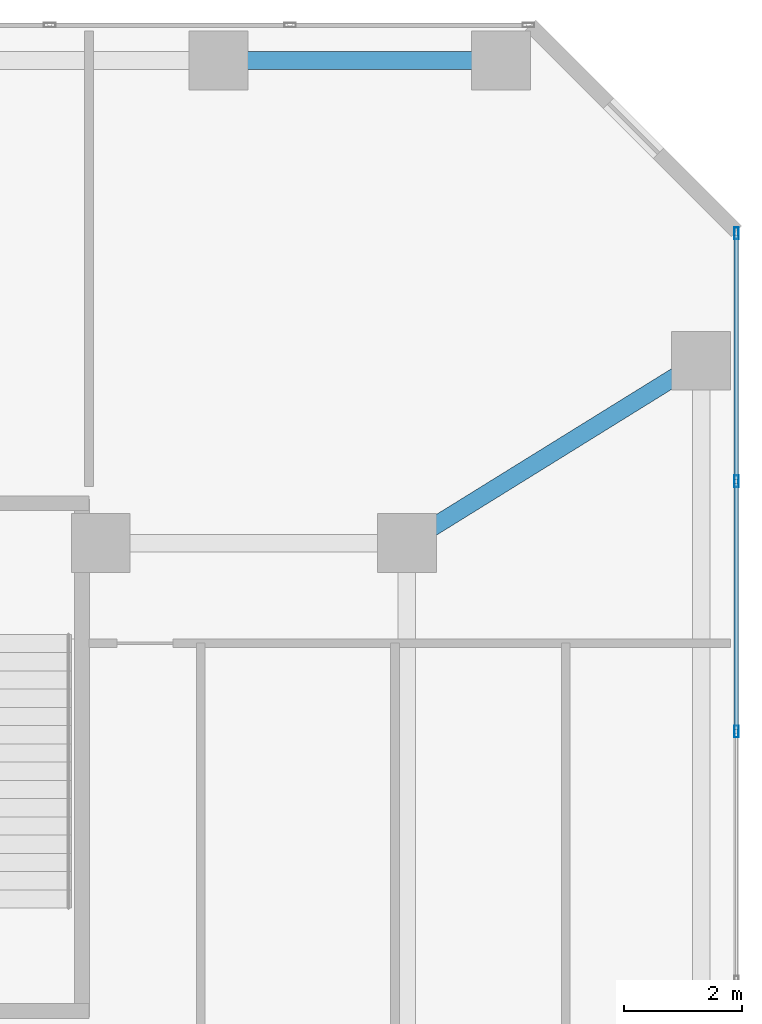
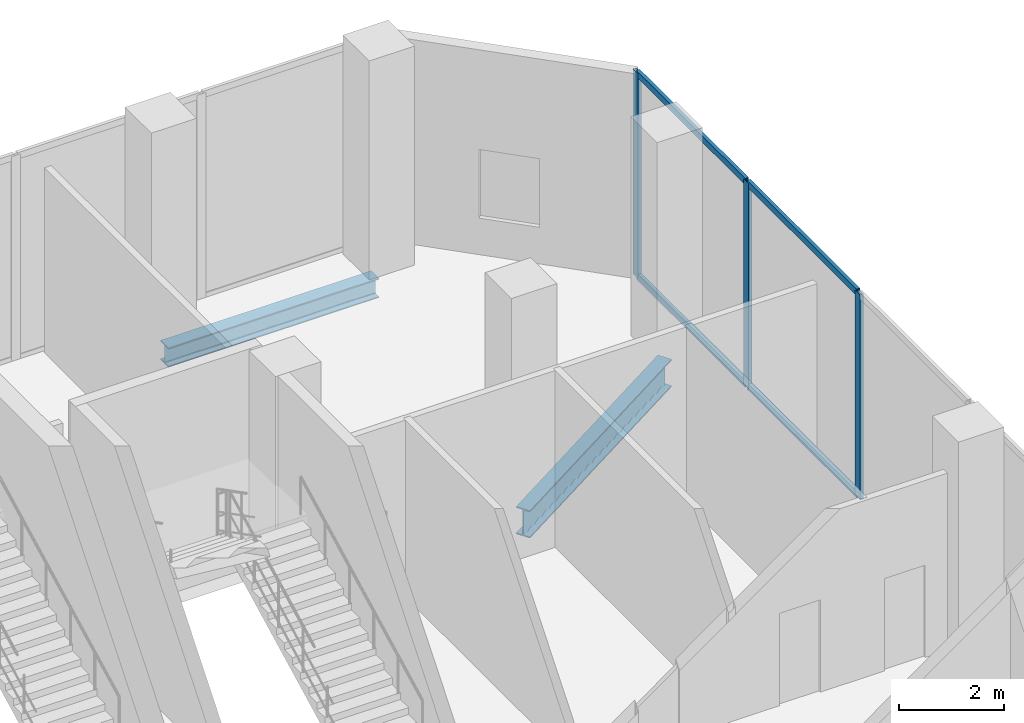
# One storey, part 17 of 24: 7 members, 2 beams, 1 element without a shape of its own.
"""IFC4 building model written with IfcOpenShell, lengths in metres."""

from ifc_helpers import new_model, si_unit, direction, frame, origin, origin_2d, place, context, subcontext, project, spatial, hollow_rectangle, i_section, extrude, material, layer, layer_set, material_profile, profile_set, type_object, element, aggregate, save


model = new_model("IFC4")

# Units and contexts
model_context = context("Model", 3, precision=1e-05, world=origin(), true_north=direction((0.0, 1.0)))
body_context = subcontext(model_context, "Body", "Model", "MODEL_VIEW")
ifc_project = project(units=[si_unit("LENGTHUNIT", "METRE"), si_unit("AREAUNIT", "SQUARE_METRE"), si_unit("VOLUMEUNIT", "CUBIC_METRE"), si_unit("PLANEANGLEUNIT", "RADIAN"), si_unit("MASSUNIT", "GRAM", prefix="KILO")], contexts=[model_context])

# Site, building, storey
site_placement = place(None, origin())
site = spatial("IfcSite", under=ifc_project, at=site_placement, CompositionType="ELEMENT")
building_placement = place(site_placement, origin())
building = spatial("IfcBuilding", under=site, at=building_placement, Name="Catumbela Crestline Tower", CompositionType="ELEMENT")
storey_placement = place(building_placement, frame((0.0, 0.0, 6.0)))
storey = spatial("IfcBuildingStorey", under=building, at=storey_placement, Name="L01", CompositionType="ELEMENT", Elevation=6.0)

# Beam
ifc_material_1 = material(Name="Structural steel S355J2", Category="steel")
ifc_material_profile_1 = material_profile(ifc_material_1, i_section(OverallWidth=0.3, OverallDepth=0.64, WebThickness=0.0135, FlangeThickness=0.026, FilletRadius=0.027, at=origin_2d()), Name="HEA 650")
ifc_profile_set_1 = profile_set([ifc_material_profile_1], Name="Structural steel S355J2")
beam_type_1 = type_object("IfcBeamType", Name="BG-HEA650", PredefinedType="BEAM", material=ifc_profile_set_1)
beam_1_placement = place(storey_placement, frame((50.468, 39.2422, -0.64), z_axis=(0.849908952007, 0.526929571479, 0.0), x_axis=(-0.526929571479, 0.849908952007, 0.0)))
element("IfcBeam", 1, at=beam_1_placement, inside=storey, type_object=beam_type_1, Name="L01 Beam BM-L01-N16", PredefinedType="BEAM", context=body_context, shape_type="SweptSolid", body=[
    extrude(i_section(OverallWidth=0.3, OverallDepth=0.64, WebThickness=0.0135, FlangeThickness=0.026, FilletRadius=0.027, at=origin_2d()), origin(), (0.0, 0.0, 1.0), 5.723),
])

# Curtain wall, members
ifc_material_2 = material(Name="Aluminium alloy AW-6060-T66", Category="aluminium")
ifc_layer = layer(ifc_material_2, 0.18, Name="Aluminium alloy AW-6060-T66")
ifc_layer_set = layer_set([ifc_layer], Name="Aluminium alloy AW-6060-T66")
curtain_wall_type = type_object("IfcCurtainWallType", Name="CWS-POD", PredefinedType="USERDEFINED", material=ifc_layer_set)
curtain_wall_placement = place(storey_placement, origin())
curtain_wall = element("IfcCurtainWall", 2, at=curtain_wall_placement, inside=storey, type_object=curtain_wall_type, Name="L01 Stick Curtain Wall CW-L01-E5S1", ObjectType="STICK", PredefinedType="USERDEFINED")
ifc_material_profile_2 = material_profile(ifc_material_2, hollow_rectangle(XDim=0.075, YDim=0.2, WallThickness=0.005, at=origin_2d()), Name="ALU 200x75x5")
ifc_profile_set_2 = profile_set([ifc_material_profile_2], Name="Aluminium alloy AW-6060-T66")
member_type_1 = type_object("IfcMemberType", Name="MUL-200X75", PredefinedType="MULLION", material=ifc_profile_set_2)
member_1_placement = place(storey_placement, frame((56.0, 36.0, 0.0), z_axis=(0.0, 0.0, 1.0), x_axis=(-1.0, 0.0, 0.0)))
member_1 = element("IfcMember", 3, at=member_1_placement, type_object=member_type_1, Name="CWS-POD mullion 3", PredefinedType="MULLION", context=body_context, shape_type="SweptSolid", body=[
    extrude(hollow_rectangle(XDim=0.075, YDim=0.2, WallThickness=0.005, at=origin_2d()), origin(), (0.0, 0.0, 1.0), 4.77),
])
member_2_placement = place(storey_placement, frame((56.0, 40.25, 0.0), z_axis=(0.0, 0.0, 1.0), x_axis=(-1.0, 0.0, 0.0)))
member_2 = element("IfcMember", 4, at=member_2_placement, type_object=member_type_1, Name="CWS-POD mullion 4", PredefinedType="MULLION", context=body_context, shape_type="SweptSolid", body=[
    extrude(hollow_rectangle(XDim=0.075, YDim=0.2, WallThickness=0.005, at=origin_2d()), origin(), (0.0, 0.0, 1.0), 4.77),
])
member_3_placement = place(storey_placement, frame((56.0, 44.4675, 0.0), z_axis=(0.0, 0.0, 1.0), x_axis=(-1.0, 0.0, 0.0)))
member_3 = element("IfcMember", 5, at=member_3_placement, type_object=member_type_1, Name="CWS-POD mullion 5", PredefinedType="MULLION", context=body_context, shape_type="SweptSolid", body=[
    extrude(hollow_rectangle(XDim=0.075, YDim=0.2, WallThickness=0.005, at=origin_2d()), origin(), (0.0, 0.0, 1.0), 4.77),
])

# Beam
ifc_material_profile_3 = material_profile(ifc_material_1, i_section(OverallWidth=0.3, OverallDepth=0.45, WebThickness=0.014, FlangeThickness=0.026, FilletRadius=0.027, at=origin_2d()), Name="HEB 450")
ifc_profile_set_3 = profile_set([ifc_material_profile_3], Name="Structural steel S355J2")
beam_type_2 = type_object("IfcBeamType", Name="BS-HEB450", PredefinedType="SPANDREL", material=ifc_profile_set_3)
beam_2_placement = place(storey_placement, frame((47.28, 47.4, -0.545), z_axis=(1.0, 0.0, 0.0), x_axis=(0.0, 1.0, 0.0)))
element("IfcBeam", 6, at=beam_2_placement, inside=storey, type_object=beam_type_2, Name="L01 Spandrel SP-L01-NF22", PredefinedType="SPANDREL", context=body_context, shape_type="SweptSolid", body=[
    extrude(i_section(OverallWidth=0.3, OverallDepth=0.45, WebThickness=0.014, FlangeThickness=0.026, FilletRadius=0.027, at=origin_2d()), origin(), (0.0, 0.0, 1.0), 4.64),
])

# Member
ifc_material_profile_4 = material_profile(ifc_material_2, hollow_rectangle(XDim=0.075, YDim=0.15, WallThickness=0.0045, at=origin_2d()), Name="ALU 150x75x4.5")
ifc_profile_set_4 = profile_set([ifc_material_profile_4], Name="Aluminium alloy AW-6060-T66")
member_type_2 = type_object("IfcMemberType", Name="TRN-150X75", PredefinedType="USERDEFINED", material=ifc_profile_set_4)
member_4_placement = place(storey_placement, frame((56.0, 36.0325, 0.03), z_axis=(0.0, 1.0, 0.0), x_axis=(-1.0, 0.0, 0.0)))
member_4 = element("IfcMember", 7, at=member_4_placement, type_object=member_type_2, Name="CWS-POD transom 3.1", ObjectType="TRANSOM", PredefinedType="USERDEFINED", context=body_context, shape_type="SweptSolid", body=[
    extrude(hollow_rectangle(XDim=0.075, YDim=0.15, WallThickness=0.0045, at=origin_2d()), origin(), (0.0, 0.0, 1.0), 4.185),
])

member_5_placement = place(storey_placement, frame((56.0, 36.0325, 4.74), z_axis=(0.0, 1.0, 0.0), x_axis=(-1.0, 0.0, 0.0)))
member_5 = element("IfcMember", 8, at=member_5_placement, type_object=member_type_2, Name="CWS-POD transom 3.2", ObjectType="TRANSOM", PredefinedType="USERDEFINED", context=body_context, shape_type="SweptSolid", body=[
    extrude(hollow_rectangle(XDim=0.075, YDim=0.15, WallThickness=0.0045, at=origin_2d()), origin(), (0.0, 0.0, 1.0), 4.185),
])

member_6_placement = place(storey_placement, frame((56.0, 40.2825, 0.03), z_axis=(0.0, 1.0, 0.0), x_axis=(-1.0, 0.0, 0.0)))
member_6 = element("IfcMember", 9, at=member_6_placement, type_object=member_type_2, Name="CWS-POD transom 4.1", ObjectType="TRANSOM", PredefinedType="USERDEFINED", context=body_context, shape_type="SweptSolid", body=[
    extrude(hollow_rectangle(XDim=0.075, YDim=0.15, WallThickness=0.0045, at=origin_2d()), origin(), (0.0, 0.0, 1.0), 4.1525),
])

member_7_placement = place(storey_placement, frame((56.0, 40.2825, 4.74), z_axis=(0.0, 1.0, 0.0), x_axis=(-1.0, 0.0, 0.0)))
member_7 = element("IfcMember", 10, at=member_7_placement, type_object=member_type_2, Name="CWS-POD transom 4.2", ObjectType="TRANSOM", PredefinedType="USERDEFINED", context=body_context, shape_type="SweptSolid", body=[
    extrude(hollow_rectangle(XDim=0.075, YDim=0.15, WallThickness=0.0045, at=origin_2d()), origin(), (0.0, 0.0, 1.0), 4.1525),
])

aggregate(curtain_wall, [member_1, member_2, member_3, member_4, member_5, member_6, member_7])

save(model, "model.ifc")
